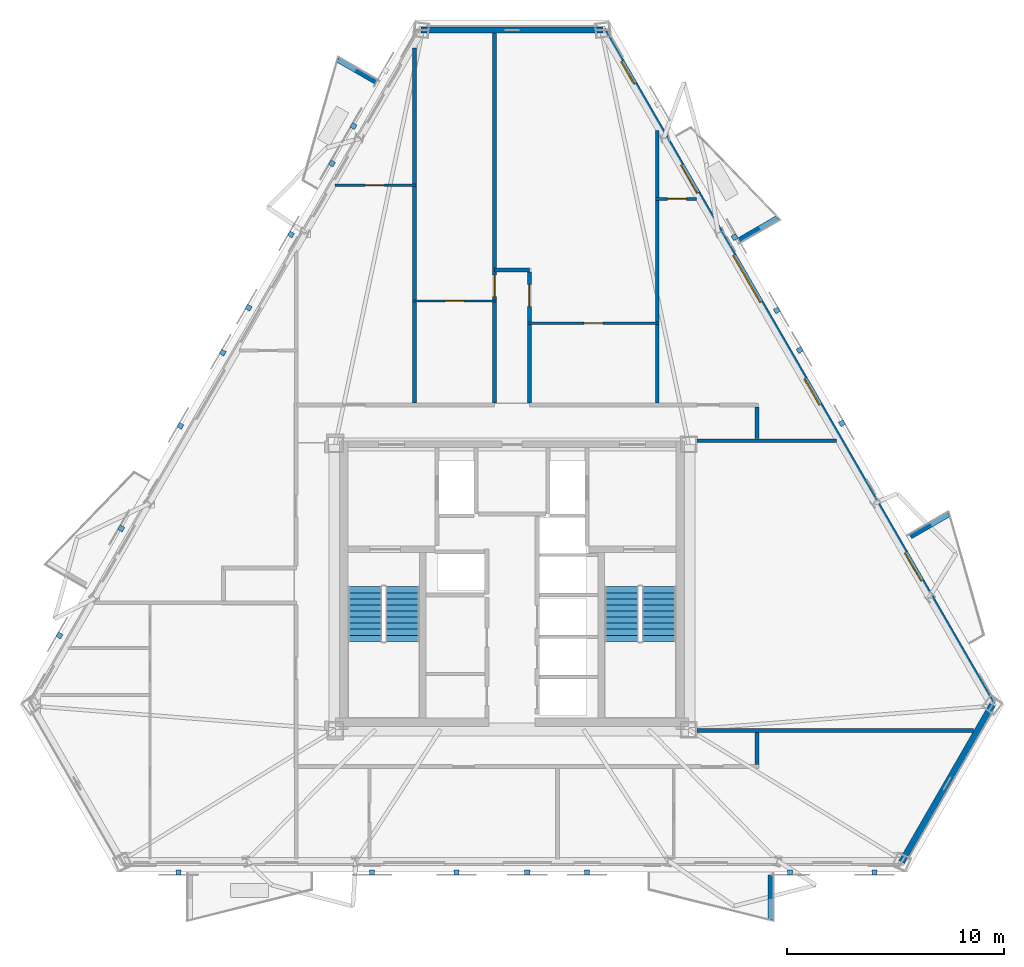
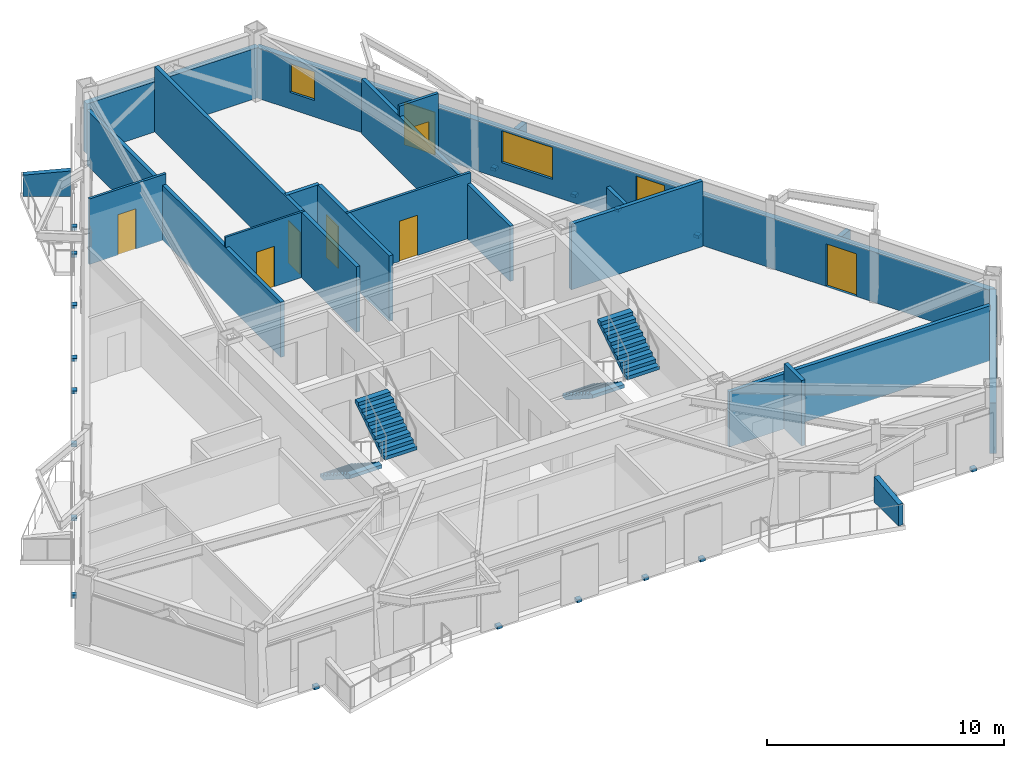
# One storey, part 5 of 9: 20 walls, 19 discrete accessories, 8 doors, 4 stair flights, 3 windows, 11 openings, 2 elements without a shape of their own.
"""IFC4 building model written with IfcOpenShell, lengths in metres."""

from ifc_helpers import new_model, si_unit, direction, frame, frame_2d, origin, origin_2d, place, context, subcontext, project, spatial, polyline, rectangle, outline, extrude, material, layer, layer_set, type_object, element, fill, aggregate, save


model = new_model("IFC4")

# Units and contexts
model_context = context("Model", 3, precision=1e-05, world=origin(), true_north=direction((0.0, 1.0)))
body_context = subcontext(model_context, "Body", "Model", "MODEL_VIEW")
ifc_project = project(units=[si_unit("LENGTHUNIT", "METRE"), si_unit("AREAUNIT", "SQUARE_METRE"), si_unit("VOLUMEUNIT", "CUBIC_METRE"), si_unit("PLANEANGLEUNIT", "RADIAN"), si_unit("MASSUNIT", "GRAM", prefix="KILO")], contexts=[model_context])

# Site, building, storey
site_placement = place(None, origin())
site = spatial("IfcSite", under=ifc_project, at=site_placement, CompositionType="ELEMENT")
building_placement = place(site_placement, origin())
building = spatial("IfcBuilding", under=site, at=building_placement, Name="Oramaril Tower", CompositionType="ELEMENT")
storey_placement = place(building_placement, frame((0.0, 0.0, 174.60009765625)))
storey = spatial("IfcBuildingStorey", under=building, at=storey_placement, Name="L46", CompositionType="ELEMENT", Elevation=174.60009765625)

# Wall
ifc_material_1 = material(Name="Warm Cream Limestone", Category="masonry")
ifc_layer_1 = layer(ifc_material_1, 0.2900390625)
ifc_layer_set_1 = layer_set([ifc_layer_1], Name="WT-EXT29")
wall_type_1 = type_object("IfcWallType", Name="WT-EXT29", PredefinedType="SOLIDWALL", material=ifc_layer_set_1)
wall_1_placement = place(storey_placement, frame((55.46484375, 4.884033203125, 0.0), z_axis=(0.0, 0.0, 1.0), x_axis=(0.500010445942, 0.866019372733, 0.0)))
element("IfcWall", 1, at=wall_1_placement, inside=storey, type_object=wall_type_1, Name="L46 Tower Limestone Facade Wall 3M", PredefinedType="SOLIDWALL", context=body_context, shape_type="SweptSolid", body=[
    extrude(rectangle(XDim=8.389892578125, YDim=0.2900390625, at=frame_2d((4.19482421875, 0.0))), origin(), (0.0, 0.0, 1.0), 2.599853515625),
])

# Wall, openings, doors, windows
wall_2_placement = place(storey_placement, frame((59.659912109375, 12.14990234375, 0.0), z_axis=(0.0, 0.0, 1.0), x_axis=(-0.499997724503, 0.866026717539, 0.0)))
wall_2 = element("IfcWall", 2, at=wall_2_placement, inside=storey, type_object=wall_type_1, Name="L46 Tower Limestone Facade Wall 4M", PredefinedType="SOLIDWALL", context=body_context, shape_type="SweptSolid", body=[
    extrude(rectangle(XDim=35.929931640625, YDim=0.2900390625, at=frame_2d((17.96484375, 0.0))), origin(), (0.0, 0.0, 1.0), 2.599853515625),
])
opening_1_placement = place(wall_2_placement, frame((6.579345703125, 0.0, 0.0)))
opening_1 = element("IfcOpeningElement", 3, at=opening_1_placement, cuts=wall_2, Name="Opening D-L46-BAL-NE1", PredefinedType="OPENING", context=body_context, shape_type="SweptSolid", body=[
    extrude(rectangle(XDim=1.5, YDim=2.199951171875, at=frame_2d((0.75, 1.10009765625))), frame((0.0, 0.14501953125, 0.0), z_axis=(0.0, -1.0, 0.0), x_axis=(1.0, 0.0, 0.0)), (0.0, 0.0, 1.0), 0.2900390625),
])
opening_2_placement = place(wall_2_placement, frame((27.235107421875, 0.0, 0.0)))
opening_2 = element("IfcOpeningElement", 4, at=opening_2_placement, cuts=wall_2, Name="Opening D-L46-BAL-NE2", PredefinedType="OPENING", context=body_context, shape_type="SweptSolid", body=[
    extrude(rectangle(XDim=1.5, YDim=2.199951171875, at=frame_2d((0.75, 1.10009765625))), frame((0.0, 0.14501953125, 0.0), z_axis=(0.0, -1.0, 0.0), x_axis=(1.0, 0.0, 0.0)), (0.0, 0.0, 1.0), 0.2900390625),
])
opening_3_placement = place(wall_2_placement, frame((33.046142578125, 0.0, 0.85009765625)))
opening_3 = element("IfcOpeningElement", 5, at=opening_3_placement, cuts=wall_2, Name="Opening WN-09", PredefinedType="OPENING", context=body_context, shape_type="SweptSolid", body=[
    extrude(rectangle(XDim=1.199951171875, YDim=1.47998046875, at=frame_2d((0.60009765625, 0.739990234375))), frame((0.0, 0.14501953125, 0.0), z_axis=(0.0, -1.0, 0.0), x_axis=(1.0, 0.0, 0.0)), (0.0, 0.0, 1.0), 0.2900390625),
])
opening_4_placement = place(wall_2_placement, frame((15.957763671875, 0.0, 0.85009765625)))
opening_4 = element("IfcOpeningElement", 6, at=opening_4_placement, cuts=wall_2, Name="Opening WN-08", PredefinedType="OPENING", context=body_context, shape_type="SweptSolid", body=[
    extrude(rectangle(XDim=1.39990234375, YDim=1.60009765625, at=frame_2d((0.699951171875, 0.800048828125))), frame((0.0, 0.14501953125, 0.0), z_axis=(0.0, -1.0, 0.0), x_axis=(1.0, 0.0, 0.0)), (0.0, 0.0, 1.0), 0.2900390625),
])
opening_5_placement = place(wall_2_placement, frame((21.4169921875, 0.0, 0.85009765625)))
opening_5 = element("IfcOpeningElement", 7, at=opening_5_placement, cuts=wall_2, Name="Opening WN-11", PredefinedType="OPENING", context=body_context, shape_type="SweptSolid", body=[
    extrude(rectangle(XDim=2.5, YDim=1.639892578125, at=frame_2d((1.25, 0.81982421875))), frame((0.0, 0.14501953125, 0.0), z_axis=(0.0, -1.0, 0.0), x_axis=(1.0, 0.0, 0.0)), (0.0, 0.0, 1.0), 0.2900390625),
])
ifc_material_2 = material(Name="Anodised Aluminium 6063-T6", Category="aluminium")
door_type_1 = type_object("IfcDoorType", Name="DT-BAL", OperationType="NOTDEFINED", PredefinedType="DOOR", material=ifc_material_2)
door_1_placement = place(opening_1_placement, origin())
door_1 = element("IfcDoor", 8, at=door_1_placement, inside=storey, type_object=door_type_1, Name="L46 Balcony Glazed Door L46-BAL-NE1", OperationType="SINGLE_SWING_LEFT", OverallHeight=2.199951171875, OverallWidth=1.5, PredefinedType="DOOR", context=body_context, shape_type="SweptSolid", body=[
    extrude(rectangle(XDim=1.5, YDim=2.199951171875, at=frame_2d((0.75, 1.10009765625))), frame((0.0, 0.02490234375, 0.0), z_axis=(0.0, -1.0, 0.0), x_axis=(1.0, 0.0, 0.0)), (0.0, 0.0, 1.0), 0.050048828125),
])
fill(opening_1, door_1)
door_2_placement = place(opening_2_placement, origin())
door_2 = element("IfcDoor", 9, at=door_2_placement, inside=storey, type_object=door_type_1, Name="L46 Balcony Glazed Door L46-BAL-NE2", OperationType="SINGLE_SWING_RIGHT", OverallHeight=2.199951171875, OverallWidth=1.5, PredefinedType="DOOR", context=body_context, shape_type="SweptSolid", body=[
    extrude(rectangle(XDim=1.5, YDim=2.199951171875, at=frame_2d((0.75, 1.10009765625))), frame((0.0, 0.02490234375, 0.0), z_axis=(0.0, -1.0, 0.0), x_axis=(1.0, 0.0, 0.0)), (0.0, 0.0, 1.0), 0.050048828125),
])
fill(opening_2, door_2)
ifc_material_3 = material(Name="Coastal Low-E Insulated Glass", Category="glass")
window_type_1 = type_object("IfcWindowType", Name="WNT-08", PartitioningType="SINGLE_PANEL", PredefinedType="WINDOW", material=ifc_material_3)
window_1_placement = place(opening_4_placement, origin())
window_1 = element("IfcWindow", 10, at=window_1_placement, inside=storey, type_object=window_type_1, Name="L46 Chicago Bay Window WN-08", OverallHeight=1.60009765625, OverallWidth=1.39990234375, PartitioningType="SINGLE_PANEL", PredefinedType="WINDOW", context=body_context, shape_type="SweptSolid", body=[
    extrude(rectangle(XDim=1.39990234375, YDim=1.60009765625, at=frame_2d((0.699951171875, 0.800048828125))), frame((0.0, 0.030029296875, 0.0), z_axis=(0.0, -1.0, 0.0), x_axis=(1.0, 0.0, 0.0)), (0.0, 0.0, 1.0), 0.06005859375),
])
fill(opening_4, window_1)
ifc_material_4 = material(Name="Coastal Low-E Insulated Glass", Category="glass")
window_type_2 = type_object("IfcWindowType", Name="WNT-09", PartitioningType="SINGLE_PANEL", PredefinedType="WINDOW", material=ifc_material_4)
window_2_placement = place(opening_3_placement, origin())
window_2 = element("IfcWindow", 11, at=window_2_placement, inside=storey, type_object=window_type_2, Name="L46 Chicago Bay Window WN-09", OverallHeight=1.47998046875, OverallWidth=1.199951171875, PartitioningType="SINGLE_PANEL", PredefinedType="WINDOW", context=body_context, shape_type="SweptSolid", body=[
    extrude(rectangle(XDim=1.199951171875, YDim=1.47998046875, at=frame_2d((0.60009765625, 0.739990234375))), frame((0.0, 0.030029296875, 0.0), z_axis=(0.0, -1.0, 0.0), x_axis=(1.0, 0.0, 0.0)), (0.0, 0.0, 1.0), 0.06005859375),
])
fill(opening_3, window_2)
ifc_material_5 = material(Name="Coastal Low-E Insulated Glass", Category="glass")
window_type_3 = type_object("IfcWindowType", Name="WNT-11", PartitioningType="SINGLE_PANEL", PredefinedType="WINDOW", material=ifc_material_5)
window_3_placement = place(opening_5_placement, origin())
window_3 = element("IfcWindow", 12, at=window_3_placement, inside=storey, type_object=window_type_3, Name="L46 Chicago Bay Window WN-11", OverallHeight=1.639892578125, OverallWidth=2.5, PartitioningType="SINGLE_PANEL", PredefinedType="WINDOW", context=body_context, shape_type="SweptSolid", body=[
    extrude(rectangle(XDim=2.5, YDim=1.639892578125, at=frame_2d((1.25, 0.81982421875))), frame((0.0, 0.030029296875, 0.0), z_axis=(0.0, -1.0, 0.0), x_axis=(1.0, 0.0, 0.0)), (0.0, 0.0, 1.0), 0.06005859375),
])
fill(opening_5, window_3)

# Walls
wall_3_placement = place(storey_placement, frame((41.695068359375, 43.26611328125, 0.0), z_axis=(0.0, 0.0, 1.0), x_axis=(-1.0, 0.0, 0.0)))
element("IfcWall", 13, at=wall_3_placement, inside=storey, type_object=wall_type_1, Name="L46 Tower Limestone Facade Wall 5M", PredefinedType="SOLIDWALL", context=body_context, shape_type="SweptSolid", body=[
    extrude(rectangle(XDim=8.39013671875, YDim=0.2900390625, at=frame_2d((4.195068359375, 0.0))), origin(), (0.0, 0.0, 1.0), 2.599853515625),
])
ifc_material_6 = material(Name="Concrete C40/50", Category="concrete")
ifc_layer_2 = layer(ifc_material_6, 0.22998046875)
ifc_layer_set_2 = layer_set([ifc_layer_2], Name="WT-PRP23")
wall_type_2 = type_object("IfcWallType", Name="WT-PRP23", PredefinedType="PARAPET", material=ifc_layer_set_2)
for number, where, z_axis, x_axis, name in (
    (14, (49.42529296875, 4.285888671875, 0.0), (0.0, 0.0, 1.0), (0.0, -1.0, 0.0), "L46 Trapezoidal Balcony Frame Cheek L46-BAL-S2-R"),
    (15, (55.87548828125, 19.900634765625, 0.0), (0.0, 0.0, 1.0), (0.866012356593, 0.500022597718, 0.0), "L46 Trapezoidal Balcony Frame Cheek L46-BAL-NE1-R"),
):
    element("IfcWall", number, at=place(storey_placement, frame(where, z_axis=z_axis, x_axis=x_axis)), inside=storey, type_object=wall_type_2, Name=name, PredefinedType="PARAPET", context=body_context, shape_type="SweptSolid", body=[
        extrude(outline(polyline([(0.0, 0.0), (2.0419921875, 0.0), (2.0419921875, 1.099853515625), (0.0, 1.31982421875), (0.0, 0.0)])), frame((0.0, 0.114990234375, 0.0), z_axis=(0.0, -1.0, 0.0), x_axis=(1.0, 0.0, 0.0)), (0.0, 0.0, 1.0), 0.22998046875),
    ])
wall_4_placement = place(storey_placement, frame((47.9775390625, 33.580078125, 0.0), z_axis=(0.0, 0.0, 1.0), x_axis=(0.865990478488, 0.500060487509, 0.0)))
element("IfcWall", 16, at=wall_4_placement, inside=storey, type_object=wall_type_2, Name="L46 Trapezoidal Balcony Frame Cheek L46-BAL-NE2-L", PredefinedType="PARAPET", context=body_context, shape_type="SweptSolid", body=[
    extrude(outline(polyline([(0.0, 0.0), (2.042236328125, 0.0), (2.0419921875, 1.099853515625), (0.0, 1.31982421875), (0.0, 0.0)])), frame((0.0, 0.114990234375, 0.0), z_axis=(0.0, -1.0, 0.0), x_axis=(1.0, 0.0, 0.0)), (0.0, 0.0, 1.0), 0.22998046875),
])
wall_5_placement = place(storey_placement, frame((31.22998046875, 40.867919921875, 0.0), z_axis=(0.0, 0.0, 1.0), x_axis=(-0.866042246008, 0.499970827278, 0.0)))
element("IfcWall", 17, at=wall_5_placement, inside=storey, type_object=wall_type_2, Name="L46 Trapezoidal Balcony Frame Cheek L46-BAL-NW1-L", PredefinedType="PARAPET", context=body_context, shape_type="SweptSolid", body=[
    extrude(outline(polyline([(0.0, 0.0), (2.0419921875, 0.0), (2.0419921875, 1.099853515625), (0.0, 1.31982421875), (0.0, 0.0)])), frame((0.0, 0.114990234375, 0.0), z_axis=(0.0, -1.0, 0.0), x_axis=(1.0, 0.0, 0.0)), (0.0, 0.0, 1.0), 0.22998046875),
])

# Wall, opening, door
ifc_material_7 = material(Name="Acoustic Gypsum Board Partition")
ifc_layer_3 = layer(ifc_material_7, 0.10009765625)
ifc_layer_set_3 = layer_set([ifc_layer_3], Name="WT-PT10")
wall_type_3 = type_object("IfcWallType", Name="WT-PT10", PredefinedType="PARTITIONING", material=ifc_layer_set_3)
wall_6_placement = place(storey_placement, frame((32.91796875, 30.77001953125, 0.0), z_axis=(0.0, 0.0, 1.0), x_axis=(1.0, 0.0, 0.0)))
wall_6 = element("IfcWall", 18, at=wall_6_placement, inside=storey, type_object=wall_type_3, Name="L46 Interior Partition PT-10", PredefinedType="PARTITIONING", context=body_context, shape_type="SweptSolid", body=[
    extrude(rectangle(XDim=3.864013671875, YDim=0.10009765625, at=frame_2d((1.93212890625, 0.0))), origin(), (0.0, 0.0, 1.0), 3.3798828125),
])
opening_6_placement = place(wall_6_placement, frame((1.491943359375, 0.0, 0.0)))
opening_6 = element("IfcOpeningElement", 19, at=opening_6_placement, cuts=wall_6, Name="Opening D-L46-07", PredefinedType="OPENING", context=body_context, shape_type="SweptSolid", body=[
    extrude(rectangle(XDim=0.8798828125, YDim=2.080078125, at=frame_2d((0.43994140625, 1.0400390625))), frame((0.0, 0.050048828125, 0.0), z_axis=(0.0, -1.0, 0.0), x_axis=(1.0, 0.0, 0.0)), (0.0, 0.0, 1.0), 0.10009765625),
])
ifc_material_8 = material(Name="FSC Brazilian Freijo Hardwood", Category="wood")
door_type_2 = type_object("IfcDoorType", Name="DT-BATH", OperationType="NOTDEFINED", PredefinedType="DOOR", material=ifc_material_8)
door_3_placement = place(opening_6_placement, origin())
door_3 = element("IfcDoor", 20, at=door_3_placement, inside=storey, type_object=door_type_2, Name="L46 Flat L46-U7 Bathroom Door D-L46-07", OperationType="SINGLE_SWING_RIGHT", OverallHeight=2.080078125, OverallWidth=0.8798828125, PredefinedType="DOOR", context=body_context, shape_type="SweptSolid", body=[
    extrude(rectangle(XDim=0.8798828125, YDim=2.080078125, at=frame_2d((0.43994140625, 1.0400390625))), frame((0.0, 0.02490234375, 0.0), z_axis=(0.0, -1.0, 0.0), x_axis=(1.0, 0.0, 0.0)), (0.0, 0.0, 1.0), 0.050048828125),
])
fill(opening_6, door_3)

ifc_material_9 = material(Name="Acoustic Gypsum Board Partition")
ifc_layer_4 = layer(ifc_material_9, 0.1201171875)
ifc_layer_set_4 = layer_set([ifc_layer_4], Name="WT-PT12")
wall_type_4 = type_object("IfcWallType", Name="WT-PT12", PredefinedType="PARTITIONING", material=ifc_layer_set_4)
wall_7_placement = place(storey_placement, frame((38.218017578125, 29.739990234375, 0.0), z_axis=(0.0, 0.0, 1.0), x_axis=(1.0, 0.0, 0.0)))
wall_7 = element("IfcWall", 21, at=wall_7_placement, inside=storey, type_object=wall_type_4, Name="L46 Interior Partition PT-12", PredefinedType="PARTITIONING", context=body_context, shape_type="SweptSolid", body=[
    extrude(rectangle(XDim=6.06396484375, YDim=0.1201171875, at=frame_2d((3.031982421875, 0.0))), origin(), (0.0, 0.0, 1.0), 3.3798828125),
])
opening_7_placement = place(wall_7_placement, frame((2.592041015625, 0.0, 0.0)))
opening_7 = element("IfcOpeningElement", 22, at=opening_7_placement, cuts=wall_7, Name="Opening D-L46-06", PredefinedType="OPENING", context=body_context, shape_type="SweptSolid", body=[
    extrude(rectangle(XDim=0.8798828125, YDim=2.080078125, at=frame_2d((0.43994140625, 1.0400390625))), frame((0.0, 0.06005859375, 0.0), z_axis=(0.0, -1.0, 0.0), x_axis=(1.0, 0.0, 0.0)), (0.0, 0.0, 1.0), 0.1201171875),
])
door_4_placement = place(opening_7_placement, origin())
door_4 = element("IfcDoor", 23, at=door_4_placement, inside=storey, type_object=door_type_2, Name="L46 Flat L46-U8 Bathroom Door D-L46-06", OperationType="SINGLE_SWING_LEFT", OverallHeight=2.080078125, OverallWidth=0.8798828125, PredefinedType="DOOR", context=body_context, shape_type="SweptSolid", body=[
    extrude(rectangle(XDim=0.8798828125, YDim=2.080078125, at=frame_2d((0.43994140625, 1.0400390625))), frame((0.0, 0.02490234375, 0.0), z_axis=(0.0, -1.0, 0.0), x_axis=(1.0, 0.0, 0.0)), (0.0, 0.0, 1.0), 0.050048828125),
])
fill(opening_7, door_4)

wall_8_placement = place(storey_placement, frame((29.33984375, 36.10009765625, 0.0), z_axis=(0.0, 0.0, 1.0), x_axis=(1.0, 0.0, 0.0)))
wall_8 = element("IfcWall", 24, at=wall_8_placement, inside=storey, type_object=wall_type_4, Name="L46 Interior Partition PT-12", PredefinedType="PARTITIONING", context=body_context, shape_type="SweptSolid", body=[
    extrude(rectangle(XDim=3.7421875, YDim=0.1201171875, at=frame_2d((1.87109375, 0.0))), origin(), (0.0, 0.0, 1.0), 3.3798828125),
])
opening_8_placement = place(wall_8_placement, frame((1.388916015625, 0.0, 0.0)))
opening_8 = element("IfcOpeningElement", 25, at=opening_8_placement, cuts=wall_8, Name="Opening D-L46-09", PredefinedType="OPENING", context=body_context, shape_type="SweptSolid", body=[
    extrude(rectangle(XDim=0.8798828125, YDim=2.080078125, at=frame_2d((0.43994140625, 1.0400390625))), frame((0.0, 0.06005859375, 0.0), z_axis=(0.0, -1.0, 0.0), x_axis=(1.0, 0.0, 0.0)), (0.0, 0.0, 1.0), 0.1201171875),
])
door_5_placement = place(opening_8_placement, origin())
door_5 = element("IfcDoor", 26, at=door_5_placement, inside=storey, type_object=door_type_2, Name="L46 Flat L46-U6 Bathroom Door D-L46-09", OperationType="SINGLE_SWING_RIGHT", OverallHeight=2.080078125, OverallWidth=0.8798828125, PredefinedType="DOOR", context=body_context, shape_type="SweptSolid", body=[
    extrude(rectangle(XDim=0.8798828125, YDim=2.080078125, at=frame_2d((0.43994140625, 1.0400390625))), frame((0.0, 0.02490234375, 0.0), z_axis=(0.0, -1.0, 0.0), x_axis=(1.0, 0.0, 0.0)), (0.0, 0.0, 1.0), 0.050048828125),
])
fill(opening_8, door_5)

ifc_material_10 = material(Name="Acoustic Gypsum Board Partition")
ifc_layer_5 = layer(ifc_material_10, 0.139892578125)
ifc_layer_set_5 = layer_set([ifc_layer_5], Name="WT-PT14")
wall_type_5 = type_object("IfcWallType", Name="WT-PT14", PredefinedType="PARTITIONING", material=ifc_layer_set_5)
wall_9_placement = place(storey_placement, frame((44.117919921875, 35.47998046875, 0.0), z_axis=(0.0, 0.0, 1.0), x_axis=(1.0, 0.0, 0.0)))
wall_9 = element("IfcWall", 27, at=wall_9_placement, inside=storey, type_object=wall_type_5, Name="L46 Interior Partition PT-14", PredefinedType="PARTITIONING", context=body_context, shape_type="SweptSolid", body=[
    extrude(rectangle(XDim=1.900390625, YDim=0.139892578125, at=frame_2d((0.9501953125, 0.0))), origin(), (0.0, 0.0, 1.0), 3.3798828125),
])
opening_9_placement = place(wall_9_placement, frame((0.55126953125, 0.0, 0.0)))
opening_9 = element("IfcOpeningElement", 28, at=opening_9_placement, cuts=wall_9, Name="Opening D-L46-08", PredefinedType="OPENING", context=body_context, shape_type="SweptSolid", body=[
    extrude(rectangle(XDim=0.8798828125, YDim=2.080078125, at=frame_2d((0.43994140625, 1.0400390625))), frame((0.0, 0.06982421875, 0.0), z_axis=(0.0, -1.0, 0.0), x_axis=(1.0, 0.0, 0.0)), (0.0, 0.0, 1.0), 0.139892578125),
])
door_6_placement = place(opening_9_placement, origin())
door_6 = element("IfcDoor", 29, at=door_6_placement, inside=storey, type_object=door_type_2, Name="L46 Flat L46-U9 Bathroom Door D-L46-08", OperationType="SINGLE_SWING_LEFT", OverallHeight=2.080078125, OverallWidth=0.8798828125, PredefinedType="DOOR", context=body_context, shape_type="SweptSolid", body=[
    extrude(rectangle(XDim=0.8798828125, YDim=2.080078125, at=frame_2d((0.43994140625, 1.0400390625))), frame((0.0, 0.02490234375, 0.0), z_axis=(0.0, -1.0, 0.0), x_axis=(1.0, 0.0, 0.0)), (0.0, 0.0, 1.0), 0.050048828125),
])
fill(opening_9, door_6)

# Walls
ifc_material_11 = material(Name="Autoclaved Cellular Concrete Block", Category="concrete")
ifc_layer_6 = layer(ifc_material_11, 0.179931640625)
ifc_layer_set_6 = layer_set([ifc_layer_6], Name="WT-PT18")
wall_type_6 = type_object("IfcWallType", Name="WT-PT18", PredefinedType="PARTITIONING", material=ifc_layer_set_6)
wall_10_placement = place(storey_placement, frame((46.0400390625, 10.949951171875, 0.0), z_axis=(0.0, 0.0, 1.0), x_axis=(1.0, 0.0, 0.0)))
element("IfcWall", 30, at=wall_10_placement, inside=storey, type_object=wall_type_6, Name="L46 Interior Partition PT-18", PredefinedType="PARTITIONING", context=body_context, shape_type="SweptSolid", body=[
    extrude(rectangle(XDim=12.7548828125, YDim=0.179931640625, at=frame_2d((6.37744140625, 0.0))), origin(), (0.0, 0.0, 1.0), 2.841796875),
])
wall_11_placement = place(storey_placement, frame((46.0400390625, 24.320068359375, 0.0), z_axis=(0.0, 0.0, 1.0), x_axis=(1.0, 0.0, 0.0)))
element("IfcWall", 31, at=wall_11_placement, inside=storey, type_object=wall_type_6, Name="L46 Interior Partition PT-18", PredefinedType="PARTITIONING", context=body_context, shape_type="SweptSolid", body=[
    extrude(rectangle(XDim=6.42138671875, YDim=0.179931640625, at=frame_2d((3.210693359375, 0.0))), origin(), (0.0, 0.0, 1.0), 3.3798828125),
])
wall_12_placement = place(storey_placement, frame((36.699951171875, 32.199951171875, 0.0), z_axis=(0.0, 0.0, 1.0), x_axis=(1.0, 0.0, 0.0)))
element("IfcWall", 32, at=wall_12_placement, inside=storey, type_object=wall_type_6, Name="L46 Interior Partition PT-18", PredefinedType="PARTITIONING", context=body_context, shape_type="SweptSolid", body=[
    extrude(rectangle(XDim=1.60009765625, YDim=0.179931640625, at=frame_2d((0.800048828125, 0.0))), origin(), (0.0, 0.0, 1.0), 3.3798828125),
])
wall_13_placement = place(storey_placement, frame((33.0, 26.06396484375, 0.0), z_axis=(0.0, 0.0, 1.0), x_axis=(0.0, 1.0, 0.0)))
element("IfcWall", 33, at=wall_13_placement, inside=storey, type_object=wall_type_6, Name="L46 Interior Partition PT-18", PredefinedType="PARTITIONING", context=body_context, shape_type="SweptSolid", body=[
    extrude(rectangle(XDim=16.375732421875, YDim=0.179931640625, at=frame_2d((8.18798828125, 0.0))), origin(), (0.0, 0.0, 1.0), 2.841796875),
])

# Wall, opening, door
wall_14_placement = place(storey_placement, frame((36.699951171875, 26.06396484375, 0.0), z_axis=(0.0, 0.0, 1.0), x_axis=(0.0, 1.0, 0.0)))
wall_14 = element("IfcWall", 34, at=wall_14_placement, inside=storey, type_object=wall_type_6, Name="L46 Interior Partition PT-18", PredefinedType="PARTITIONING", context=body_context, shape_type="SweptSolid", body=[
    extrude(rectangle(XDim=17.052978515625, YDim=0.179931640625, at=frame_2d((8.5263671875, 0.0))), origin(), (0.0, 0.0, 1.0), 3.3798828125),
])
opening_10_placement = place(wall_14_placement, frame((4.900390625, 0.0, 0.0)))
opening_10 = element("IfcOpeningElement", 35, at=opening_10_placement, cuts=wall_14, Name="Opening D-L46-16", PredefinedType="OPENING", context=body_context, shape_type="SweptSolid", body=[
    extrude(rectangle(XDim=1.0, YDim=2.179931640625, at=frame_2d((0.5, 1.08984375))), frame((0.0, 0.08984375, 0.0), z_axis=(0.0, -1.0, 0.0), x_axis=(1.0, 0.0, 0.0)), (0.0, 0.0, 1.0), 0.179931640625),
])
ifc_material_12 = material(Name="FSC Brazilian Freijo Hardwood", Category="wood")
door_type_3 = type_object("IfcDoorType", Name="DT-APT", OperationType="NOTDEFINED", PredefinedType="DOOR", material=ifc_material_12)
door_7_placement = place(opening_10_placement, origin())
door_7 = element("IfcDoor", 36, at=door_7_placement, inside=storey, type_object=door_type_3, Name="L46 Flat L46-U7 Kitchen and Studio Apartment Door D-L46-16", OperationType="SINGLE_SWING_LEFT", OverallHeight=2.179931640625, OverallWidth=1.0, PredefinedType="DOOR", context=body_context, shape_type="SweptSolid", body=[
    extrude(rectangle(XDim=1.0, YDim=2.179931640625, at=frame_2d((0.5, 1.08984375))), frame((0.0, 0.02490234375, 0.0), z_axis=(0.0, -1.0, 0.0), x_axis=(1.0, 0.0, 0.0)), (0.0, 0.0, 1.0), 0.050048828125),
])
fill(opening_10, door_7)

wall_15_placement = place(storey_placement, frame((38.300048828125, 26.06396484375, 0.0), z_axis=(0.0, 0.0, 1.0), x_axis=(0.0, 1.0, 0.0)))
wall_15 = element("IfcWall", 37, at=wall_15_placement, inside=storey, type_object=wall_type_6, Name="L46 Interior Partition PT-18", PredefinedType="PARTITIONING", context=body_context, shape_type="SweptSolid", body=[
    extrude(rectangle(XDim=6.0419921875, YDim=0.179931640625, at=frame_2d((3.02099609375, 0.0))), origin(), (0.0, 0.0, 1.0), 3.3798828125),
])
opening_11_placement = place(wall_15_placement, frame((4.453857421875, 0.0, 0.0)))
opening_11 = element("IfcOpeningElement", 38, at=opening_11_placement, cuts=wall_15, Name="Opening D-L46-17", PredefinedType="OPENING", context=body_context, shape_type="SweptSolid", body=[
    extrude(rectangle(XDim=1.0, YDim=2.179931640625, at=frame_2d((0.5, 1.08984375))), frame((0.0, 0.08984375, 0.0), z_axis=(0.0, -1.0, 0.0), x_axis=(1.0, 0.0, 0.0)), (0.0, 0.0, 1.0), 0.179931640625),
])
door_8_placement = place(opening_11_placement, origin())
door_8 = element("IfcDoor", 39, at=door_8_placement, inside=storey, type_object=door_type_3, Name="L46 Flat L46-U8 Kitchen and Studio Apartment Door D-L46-17", OperationType="SINGLE_SWING_RIGHT", OverallHeight=2.179931640625, OverallWidth=1.0, PredefinedType="DOOR", context=body_context, shape_type="SweptSolid", body=[
    extrude(rectangle(XDim=1.0, YDim=2.179931640625, at=frame_2d((0.5, 1.08984375))), frame((0.0, 0.02490234375, 0.0), z_axis=(0.0, -1.0, 0.0), x_axis=(1.0, 0.0, 0.0)), (0.0, 0.0, 1.0), 0.050048828125),
])
fill(opening_11, door_8)

# Walls
wall_16_placement = place(storey_placement, frame((44.199951171875, 26.06396484375, 0.0), z_axis=(0.0, 0.0, 1.0), x_axis=(0.0, 1.0, 0.0)))
element("IfcWall", 40, at=wall_16_placement, inside=storey, type_object=wall_type_6, Name="L46 Interior Partition PT-18", PredefinedType="PARTITIONING", context=body_context, shape_type="SweptSolid", body=[
    extrude(rectangle(XDim=12.565185546875, YDim=0.179931640625, at=frame_2d((6.28271484375, 0.0))), origin(), (0.0, 0.0, 1.0), 2.841796875),
])
for number, where, z_axis, x_axis, name in (
    (41, (48.800048828125, 9.39404296875, 0.0), (0.0, 0.0, 1.0), (0.0, 1.0, 0.0), "L46 Interior Partition PT-18"),
    (42, (48.800048828125, 24.4140625, 0.0), (0.0, 0.0, 1.0), (0.0, 1.0, 0.0), "L46 Interior Partition PT-18"),
):
    element("IfcWall", number, at=place(storey_placement, frame(where, z_axis=z_axis, x_axis=x_axis)), inside=storey, type_object=wall_type_6, Name=name, PredefinedType="PARTITIONING", context=body_context, shape_type="SweptSolid", body=[
        extrude(rectangle(XDim=1.4619140625, YDim=0.179931640625, at=frame_2d((0.73095703125, 0.0))), origin(), (0.0, 0.0, 1.0), 3.3798828125),
    ])

# Stair, stair flights
ifc_material_13 = material(Name="Concrete C50/60", Category="concrete")
stair_type = type_object("IfcStairType", Name="STT-DG-3600", PredefinedType="HALF_TURN_STAIR", material=ifc_material_13)
stair_1_placement = place(storey_placement, origin())
stair_1 = element("IfcStair", 43, at=stair_1_placement, inside=storey, type_object=stair_type, Name="L46 Protected PFP Exit Stair ST-1", PredefinedType="HALF_TURN_STAIR")
ifc_material_14 = material(Name="Concrete C50/60", Category="concrete")
stair_flight_type = type_object("IfcStairFlightType", Name="SFT-DG-3600", PredefinedType="STRAIGHT", material=ifc_material_14)
stair_flight_1_placement = place(storey_placement, frame((30.72998046875, 17.590087890625, 0.0), z_axis=(0.0, 0.0, 1.0), x_axis=(0.0, -1.0, 0.0)))
stair_flight_1 = element("IfcStairFlight", 44, at=stair_flight_1_placement, type_object=stair_flight_type, Name="ST-1 flight 1", NumberOfRisers=10, NumberOfTreads=9, PredefinedType="STRAIGHT", RiserHeight=0.18, TreadLength=0.28, context=body_context, shape_type="SweptSolid", body=[
    extrude(outline(polyline([(0.0, 0.0), (0.0, 0.179931640625), (0.280029296875, 0.179931640625), (0.280029296875, 0.360107421875), (0.56005859375, 0.360107421875), (0.56005859375, 0.5400390625), (0.840087890625, 0.5400390625), (0.840087890625, 0.719970703125), (1.1201171875, 0.719970703125), (1.1201171875, 0.89990234375), (1.39990234375, 0.89990234375), (1.39990234375, 1.080078125), (1.679931640625, 1.080078125), (1.679931640625, 1.260009765625), (1.9599609375, 1.260009765625), (1.9599609375, 1.43994140625), (2.239990234375, 1.43994140625), (2.239990234375, 1.6201171875), (2.52001953125, 1.6201171875), (2.52001953125, 1.800048828125), (2.52001953125, 1.44189453125), (0.277099609375, 0.0), (0.0, 0.0)])), frame((0.0, 0.780029296875, 0.0), z_axis=(0.0, -1.0, 0.0), x_axis=(1.0, 0.0, 0.0)), (0.0, 0.0, 1.0), 1.56005859375),
])
stair_flight_2_placement = place(storey_placement, frame((32.43994140625, 15.070068359375, 1.7998046875), z_axis=(0.0, 0.0, 1.0), x_axis=(0.0, 1.0, 0.0)))
stair_flight_2 = element("IfcStairFlight", 45, at=stair_flight_2_placement, type_object=stair_flight_type, Name="ST-1 flight 2", NumberOfRisers=10, NumberOfTreads=9, PredefinedType="STRAIGHT", RiserHeight=0.18, TreadLength=0.28, context=body_context, shape_type="SweptSolid", body=[
    extrude(outline(polyline([(0.0, 0.0), (0.0, 0.179931640625), (0.280029296875, 0.179931640625), (0.280029296875, 0.360107421875), (0.56005859375, 0.360107421875), (0.56005859375, 0.5400390625), (0.840087890625, 0.5400390625), (0.840087890625, 0.719970703125), (1.1201171875, 0.719970703125), (1.1201171875, 0.89990234375), (1.39990234375, 0.89990234375), (1.39990234375, 1.080078125), (1.679931640625, 1.080078125), (1.679931640625, 1.260009765625), (1.9599609375, 1.260009765625), (1.9599609375, 1.43994140625), (2.239990234375, 1.43994140625), (2.239990234375, 1.6201171875), (2.52001953125, 1.6201171875), (2.52001953125, 1.800048828125), (2.52001953125, 1.44189453125), (0.277099609375, 0.0), (0.0, 0.0)])), frame((0.0, 0.780029296875, 0.0), z_axis=(0.0, -1.0, 0.0), x_axis=(1.0, 0.0, 0.0)), (0.0, 0.0, 1.0), 1.56005859375),
])
aggregate(stair_1, [stair_flight_1, stair_flight_2])

stair_2_placement = place(storey_placement, origin())
stair_2 = element("IfcStair", 46, at=stair_2_placement, inside=storey, type_object=stair_type, Name="L46 Protected PFP Exit Stair ST-2", PredefinedType="HALF_TURN_STAIR")
stair_flight_3_placement = place(storey_placement, frame((42.56005859375, 17.590087890625, 0.0), z_axis=(0.0, 0.0, 1.0), x_axis=(0.0, -1.0, 0.0)))
stair_flight_3 = element("IfcStairFlight", 47, at=stair_flight_3_placement, type_object=stair_flight_type, Name="ST-2 flight 1", NumberOfRisers=10, NumberOfTreads=9, PredefinedType="STRAIGHT", RiserHeight=0.18, TreadLength=0.28, context=body_context, shape_type="SweptSolid", body=[
    extrude(outline(polyline([(0.0, 0.0), (0.0, 0.179931640625), (0.280029296875, 0.179931640625), (0.280029296875, 0.360107421875), (0.56005859375, 0.360107421875), (0.56005859375, 0.5400390625), (0.840087890625, 0.5400390625), (0.840087890625, 0.719970703125), (1.1201171875, 0.719970703125), (1.1201171875, 0.89990234375), (1.39990234375, 0.89990234375), (1.39990234375, 1.080078125), (1.679931640625, 1.080078125), (1.679931640625, 1.260009765625), (1.9599609375, 1.260009765625), (1.9599609375, 1.43994140625), (2.239990234375, 1.43994140625), (2.239990234375, 1.6201171875), (2.52001953125, 1.6201171875), (2.52001953125, 1.800048828125), (2.52001953125, 1.44189453125), (0.277099609375, 0.0), (0.0, 0.0)])), frame((0.0, 0.780029296875, 0.0), z_axis=(0.0, -1.0, 0.0), x_axis=(1.0, 0.0, 0.0)), (0.0, 0.0, 1.0), 1.56005859375),
])
stair_flight_4_placement = place(storey_placement, frame((44.27001953125, 15.070068359375, 1.7998046875), z_axis=(0.0, 0.0, 1.0), x_axis=(0.0, 1.0, 0.0)))
stair_flight_4 = element("IfcStairFlight", 48, at=stair_flight_4_placement, type_object=stair_flight_type, Name="ST-2 flight 2", NumberOfRisers=10, NumberOfTreads=9, PredefinedType="STRAIGHT", RiserHeight=0.18, TreadLength=0.28, context=body_context, shape_type="SweptSolid", body=[
    extrude(outline(polyline([(0.0, 0.0), (0.0, 0.179931640625), (0.280029296875, 0.179931640625), (0.280029296875, 0.360107421875), (0.56005859375, 0.360107421875), (0.56005859375, 0.5400390625), (0.840087890625, 0.5400390625), (0.840087890625, 0.719970703125), (1.1201171875, 0.719970703125), (1.1201171875, 0.89990234375), (1.39990234375, 0.89990234375), (1.39990234375, 1.080078125), (1.679931640625, 1.080078125), (1.679931640625, 1.260009765625), (1.9599609375, 1.260009765625), (1.9599609375, 1.43994140625), (2.239990234375, 1.43994140625), (2.239990234375, 1.6201171875), (2.52001953125, 1.6201171875), (2.52001953125, 1.800048828125), (2.52001953125, 1.44189453125), (0.277099609375, 0.0), (0.0, 0.0)])), frame((0.0, 0.780029296875, 0.0), z_axis=(0.0, -1.0, 0.0), x_axis=(1.0, 0.0, 0.0)), (0.0, 0.0, 1.0), 1.56005859375),
])
aggregate(stair_2, [stair_flight_3, stair_flight_4])

# Discrete accessories
for number, where, z_axis, x_axis, name in (
    (49, (31.03955078125, 4.404052734375, -0.14013671875), (0.0, 0.0, 1.0), (1.0, 0.0, 0.0), "L46 Solar Screen Slab Bracket"),
    (50, (34.939453125, 4.404052734375, -0.14013671875), (0.0, 0.0, 1.0), (1.0, 0.0, 0.0), "L46 Solar Screen Slab Bracket"),
    (51, (38.20703125, 4.404052734375, -0.14013671875), (0.0, 0.0, 1.0), (1.0, 0.0, 0.0), "L46 Solar Screen Slab Bracket"),
    (52, (50.316650390625, 4.404052734375, -0.14013671875), (0.0, 0.0, 1.0), (1.0, 0.0, 0.0), "L46 Solar Screen Slab Bracket"),
    (53, (54.216552734375, 4.404052734375, -0.14013671875), (0.0, 0.0, 1.0), (1.0, 0.0, 0.0), "L46 Solar Screen Slab Bracket"),
    (54, (40.959228515625, 4.404052734375, -0.14013671875), (0.0, 0.0, 1.0), (1.0, 0.0, 0.0), "L46 Solar Screen Slab Bracket"),
    (55, (22.114501953125, 4.404052734375, -0.14013671875), (0.0, 0.0, 1.0), (1.0, 0.0, 0.0), "L46 Solar Screen Slab Bracket"),
    (56, (52.7216796875, 25.127197265625, -0.14013671875), (0.0, 0.0, 1.0), (-0.5, 0.866025403784, 0.0), "L46 Solar Screen Slab Bracket"),
    (57, (50.771728515625, 28.504638671875, -0.14013671875), (0.0, 0.0, 1.0), (-0.5, 0.866025403784, 0.0), "L46 Solar Screen Slab Bracket"),
    (58, (49.717041015625, 30.33154296875, -0.14013671875), (0.0, 0.0, 1.0), (-0.5, 0.866025403784, 0.0), "L46 Solar Screen Slab Bracket"),
    (59, (47.76708984375, 33.708984375, -0.14013671875), (0.0, 0.0, 1.0), (-0.5, 0.866025403784, 0.0), "L46 Solar Screen Slab Bracket"),
    (60, (16.62890625, 15.342041015625, -0.14013671875), (0.0, 0.0, 1.0), (-0.5, -0.866025403784, 0.0), "L46 Solar Screen Slab Bracket"),
    (61, (24.158935546875, 28.384521484375, -0.14013671875), (0.0, 0.0, 1.0), (-0.5, -0.866025403784, 0.0), "L46 Solar Screen Slab Bracket"),
    (62, (22.208984375, 25.0068359375, -0.14013671875), (0.0, 0.0, 1.0), (-0.5, -0.866025403784, 0.0), "L46 Solar Screen Slab Bracket"),
    (63, (19.4765625, 20.2744140625, -0.14013671875), (0.0, 0.0, 1.0), (-0.5, -0.866025403784, 0.0), "L46 Solar Screen Slab Bracket"),
    (64, (27.304931640625, 33.83349609375, -0.14013671875), (0.0, 0.0, 1.0), (-0.5, -0.866025403784, 0.0), "L46 Solar Screen Slab Bracket"),
    (65, (25.35498046875, 30.4560546875, -0.14013671875), (0.0, 0.0, 1.0), (-0.5, -0.866025403784, 0.0), "L46 Solar Screen Slab Bracket"),
    (66, (29.196533203125, 37.110107421875, -0.14013671875), (0.0, 0.0, 1.0), (-0.5, -0.866025403784, 0.0), "L46 Solar Screen Slab Bracket"),
    (67, (30.18994140625, 38.830810546875, -0.14013671875), (0.0, 0.0, 1.0), (-0.5, -0.866025403784, 0.0), "L46 Solar Screen Slab Bracket"),
):
    element("IfcDiscreteAccessory", number, at=place(storey_placement, frame(where, z_axis=z_axis, x_axis=x_axis)), inside=storey, Name=name, PredefinedType="BRACKET", context=body_context, shape_type="SweptSolid", body=[
        extrude(rectangle(XDim=0.239990234375, YDim=0.239990234375, at=origin_2d()), origin(), (0.0, 0.0, 1.0), 0.159912109375),
    ])

save(model, "model.ifc")
